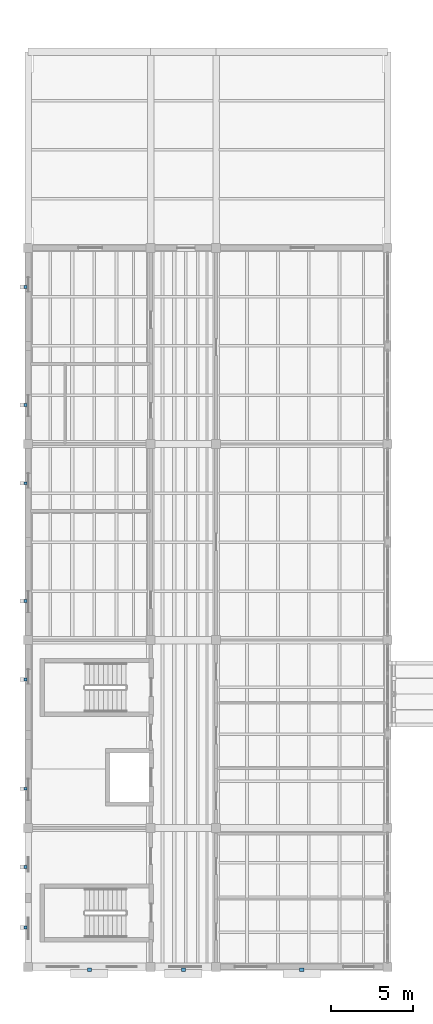
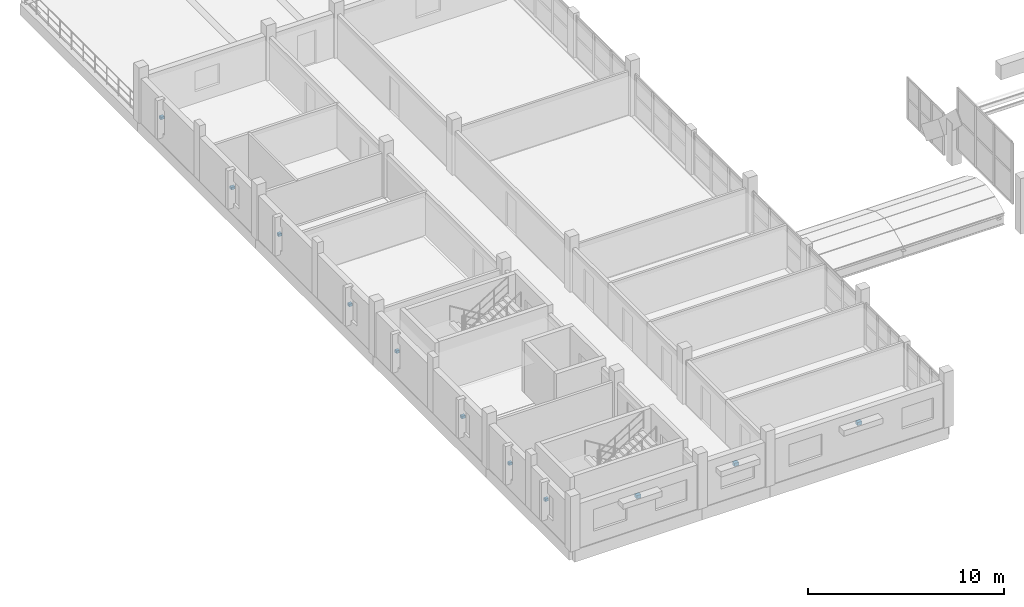
# One storey, part 40 of 48: 11 discrete accessories.
"""IFC4 building model written with IfcOpenShell, lengths in metres."""

import ifcopenshell
import ifcopenshell.guid

model = None  # the IFC model being written
_history = None  # IfcOwnerHistory: only IFC2X3 demands one
_inside = {}  # id of a spatial element -> (the spatial element, [elements in it])
_under = {}  # id of a project, library or spatial element -> (it, [spatial elements below it])
_declared = {}  # id of a project -> (the project, [libraries it declares])
_typed = {}  # id of a type object -> (the type object, [elements of that type])
_made_of = {}  # id of a material, layer set ... -> (it, [elements and type objects made of it])


def new_model(schema):
    """Start an empty IFC model of exactly this schema.

    Asked for "IFC4X3", IfcOpenShell would pick the latest addendum, in which some entities
    have other attributes; the version numbers below select the first issue.
    IFC2X3 requires an IfcOwnerHistory on every rooted entity: one is made here for all.
    """
    global model, _history
    if schema == "IFC4X3":
        model = ifcopenshell.file(schema_version=(4, 3, 0, 0))
    else:
        model = ifcopenshell.file(schema=schema)
    _inside.clear()
    _under.clear()
    _declared.clear()
    _typed.clear()
    _made_of.clear()
    _history = None
    if model.schema == "IFC2X3":
        org = make("IfcOrganization", Name="unknown")
        user = make(
            "IfcPersonAndOrganization",
            ThePerson=make("IfcPerson", FamilyName="unknown"),
            TheOrganization=org,
        )
        app = make(
            "IfcApplication",
            ApplicationDeveloper=org,
            Version="unknown",
            ApplicationFullName="unknown",
            ApplicationIdentifier="unknown",
        )
        _history = make(
            "IfcOwnerHistory",
            OwningUser=user,
            OwningApplication=app,
            ChangeAction="ADDED",
            CreationDate=0,
        )
    return model


def make(cls, **values):
    """One entity of the class cls with the attributes given. An attribute that is None is left unset."""
    return model.create_entity(
        cls, **{name: value for name, value in values.items() if value is not None}
    )


def rooted(cls, **values):
    """An entity with a GlobalId (a new one), such as an element, a storey or a relation."""
    return make(cls, GlobalId=ifcopenshell.guid.new(), OwnerHistory=_history, **values)


def si_unit(unit_type, name, prefix=None):
    """IfcSIUnit, for example si_unit("LENGTHUNIT", "METRE", prefix="MILLI")."""
    return make("IfcSIUnit", UnitType=unit_type, Prefix=prefix, Name=name)


def assignment(units):
    """IfcUnitAssignment: the units of a project."""
    return None if units is None else make("IfcUnitAssignment", Units=units)


def point(xyz):
    """IfcCartesianPoint."""
    return None if xyz is None else make("IfcCartesianPoint", Coordinates=xyz)


def direction(xyz):
    """IfcDirection."""
    return None if xyz is None else make("IfcDirection", DirectionRatios=xyz)


def frame(location, z_axis=None, x_axis=None):
    """IfcAxis2Placement3D, a coordinate frame: its origin and axes. An axis left out is left unset."""
    return make(
        "IfcAxis2Placement3D",
        Location=point(location),
        Axis=direction(z_axis),
        RefDirection=direction(x_axis),
    )


def frame_2d(location, x_axis=None):
    """IfcAxis2Placement2D, a coordinate frame in the plane: its origin and x axis."""
    return make(
        "IfcAxis2Placement2D", Location=point(location), RefDirection=direction(x_axis)
    )


def origin():
    """The frame at (0, 0, 0) with its axes left unset."""
    return frame((0.0, 0.0, 0.0))


def origin_2d():
    """The frame at (0, 0) in the plane with its x axis left unset."""
    return frame_2d((0.0, 0.0))


def place(relative_to, where):
    """IfcLocalPlacement: puts the frame where relative to a parent placement (None: the world)."""
    return make(
        "IfcLocalPlacement", PlacementRelTo=relative_to, RelativePlacement=where
    )


def context(
    kind, dimensions, precision=None, world=None, true_north=None, identifier=None
):
    """IfcGeometricRepresentationContext, for example the 3D "Model" context."""
    return make(
        "IfcGeometricRepresentationContext",
        ContextIdentifier=identifier,
        ContextType=kind,
        CoordinateSpaceDimension=dimensions,
        Precision=precision,
        WorldCoordinateSystem=world,
        TrueNorth=true_north,
    )


def subcontext(parent, identifier, kind, view, scale=None):
    """IfcGeometricRepresentationSubContext, for example "Body" below "Model"."""
    return make(
        "IfcGeometricRepresentationSubContext",
        ContextIdentifier=identifier,
        ContextType=kind,
        ParentContext=parent,
        TargetScale=scale,
        TargetView=view,
    )


def project(units=None, contexts=None):
    """IfcProject with its units and contexts."""
    return rooted(
        "IfcProject",
        Name="project",
        RepresentationContexts=contexts,
        UnitsInContext=assignment(units),
    )


def spatial(cls, under=None, at=None, **own):
    """A site, building, storey or space (cls), placed at a placement, below another one or the project."""
    s = rooted(cls, ObjectPlacement=at, **own)
    if under is not None:
        _under.setdefault(under.id(), (under, []))[1].append(s)
    return s


def profile(cls, at=None, kind="AREA", **sizes):
    """A parametric profile (cls). Its sizes go by their IFC names, for example OverallWidth=200.0."""
    return make(cls, ProfileType=kind, Position=at, **sizes)


def rectangle(**sizes):
    """IfcRectangleProfileDef."""
    return profile("IfcRectangleProfileDef", **sizes)


def extrude(swept, where, along, depth):
    """IfcExtrudedAreaSolid: the profile swept, set in the frame where, extruded along a direction by depth."""
    return make(
        "IfcExtrudedAreaSolid",
        SweptArea=swept,
        Position=where,
        ExtrudedDirection=direction(along),
        Depth=depth,
    )


def shape(context_of_items, identifier, shape_type, items):
    """IfcShapeRepresentation: the items that make up one representation, for example the "Body"."""
    return make(
        "IfcShapeRepresentation",
        ContextOfItems=context_of_items,
        RepresentationIdentifier=identifier,
        RepresentationType=shape_type,
        Items=items,
    )


def material(Name=None, Category=None):
    """IfcMaterial."""
    return make("IfcMaterial", Name=Name, Category=Category)


def made_of(thing, what):
    """Note that an element or type object is made of a material, layer set ...; save() writes the relation."""
    if what is not None:
        _made_of.setdefault(what.id(), (what, []))[1].append(thing)
    return thing


def type_object(cls, material=None, **own):
    """A type object (cls), such as IfcWallType, which elements share."""
    return made_of(rooted(cls, **own), material)


def element(
    cls,
    number,
    at=None,
    inside=None,
    cuts=None,
    type_object=None,
    material=None,
    context=None,
    identifier="Body",
    shape_type=None,
    held_by="IfcProductDefinitionShape",
    body=None,
    shapes=None,
    **own,
):
    """One element of the class cls, such as IfcWall. Its Tag is "e" and its number.

    at: its placement. inside: the storey or other place that contains it. cuts: it is an
    opening in that element (IfcRelVoidsElement). A single representation is given by context,
    identifier, shape_type and body (its items); several are given by shapes. held_by: the class
    of the entity that holds the representations. save() writes the other relations.
    """
    e = rooted(cls, Tag="e%d" % number, ObjectPlacement=at, **own)
    if body is not None:
        shapes = [shape(context, identifier, shape_type, body)]
    if shapes is not None:
        e.Representation = make(held_by, Representations=shapes)
    if inside is not None:
        _inside.setdefault(inside.id(), (inside, []))[1].append(e)
    if cuts is not None:
        rooted(
            "IfcRelVoidsElement", RelatingBuildingElement=cuts, RelatedOpeningElement=e
        )
    if type_object is not None:
        _typed.setdefault(type_object.id(), (type_object, []))[1].append(e)
    return made_of(e, material)


def aggregate(whole, parts):
    """IfcRelAggregates: a whole, such as a stair, and the parts it consists of."""
    return rooted("IfcRelAggregates", RelatingObject=whole, RelatedObjects=parts)


def save(model, path):
    """Write the relations noted so far, then the file.

    IfcRelAggregates (storeys below a building ...), IfcRelContainedInSpatialStructure (elements
    in a storey), IfcRelDefinesByType, IfcRelAssociatesMaterial and IfcRelDeclares: one each for
    every whole, place, type object, material and project.
    """
    for whole, parts in _under.values():
        aggregate(whole, parts)
    for where, things in _inside.values():
        rooted(
            "IfcRelContainedInSpatialStructure",
            RelatedElements=things,
            RelatingStructure=where,
        )
    for kind, things in _typed.values():
        rooted("IfcRelDefinesByType", RelatedObjects=things, RelatingType=kind)
    for what, things in _made_of.values():
        rooted("IfcRelAssociatesMaterial", RelatedObjects=things, RelatingMaterial=what)
    for by, libraries in _declared.values():
        rooted("IfcRelDeclares", RelatingContext=by, RelatedDefinitions=libraries)
    model.write(path)


model = new_model("IFC4")

# Units and contexts
model_context = context("Model", 3, precision=1e-05, world=origin(), true_north=direction((0.0, 1.0)))
body_context = subcontext(model_context, "Body", "Model", "MODEL_VIEW")
ifc_project = project(units=[si_unit("LENGTHUNIT", "METRE"), si_unit("AREAUNIT", "SQUARE_METRE"), si_unit("VOLUMEUNIT", "CUBIC_METRE"), si_unit("PLANEANGLEUNIT", "RADIAN"), si_unit("MASSUNIT", "GRAM", prefix="KILO")], contexts=[model_context])

# Site, building, storey
site_placement = place(None, origin())
site = spatial("IfcSite", under=ifc_project, at=site_placement, CompositionType="ELEMENT")
building_placement = place(site_placement, origin())
building = spatial("IfcBuilding", under=site, at=building_placement, Name="Trellovar Central Fire Station", CompositionType="ELEMENT")
storey_placement = place(building_placement, frame((0.0, 0.0, 9.300048828125)))
storey = spatial("IfcBuildingStorey", under=building, at=storey_placement, Name="L03", CompositionType="ELEMENT", Elevation=9.300048828125)

# Discrete accessories
ifc_material_1 = material(Name="Patina bronze wrought metalwork", Category="metal")
discrete_accessory_type_1 = type_object("IfcDiscreteAccessoryType", Name="ACC-BRK1", PredefinedType="BRACKET", material=ifc_material_1)
for number, where, z_axis, x_axis, name in (
    (1, (4.75, 8.830078125, 1.9501953125), (0.0, 0.0, 1.0), (1.0, 0.0, 0.0), "L03 bronze shade mounting bracket 47"),
    (2, (10.5, 8.830078125, 1.9501953125), (0.0, 0.0, 1.0), (1.0, 0.0, 0.0), "L03 bronze shade mounting bracket 48"),
    (3, (17.75, 8.830078125, 1.9501953125), (0.0, 0.0, 1.0), (1.0, 0.0, 0.0), "L03 bronze shade mounting bracket 49"),
):
    element("IfcDiscreteAccessory", number, at=place(storey_placement, frame(where, z_axis=z_axis, x_axis=x_axis)), inside=storey, type_object=discrete_accessory_type_1, Name=name, PredefinedType="BRACKET", context=body_context, shape_type="SweptSolid", body=[
        extrude(rectangle(XDim=0.260009765625, YDim=0.219970703125, at=origin_2d()), origin(), (0.0, 0.0, 1.0), 0.199951171875),
    ])
ifc_material_2 = material(Name="Patina bronze wrought metalwork", Category="metal")
discrete_accessory_type_2 = type_object("IfcDiscreteAccessoryType", Name="ACC-BRK2", PredefinedType="BRACKET", material=ifc_material_2)
for number, where, z_axis, x_axis, name in (
    (4, (0.830078125, 11.39990234375, 1.56982421875), (0.0, 0.0, 1.0), (1.0, 0.0, 0.0), "L03 bronze shade mounting bracket 50"),
    (5, (0.830078125, 15.10009765625, 1.56982421875), (0.0, 0.0, 1.0), (1.0, 0.0, 0.0), "L03 bronze shade mounting bracket 51"),
    (6, (0.830078125, 19.89990234375, 1.56982421875), (0.0, 0.0, 1.0), (1.0, 0.0, 0.0), "L03 bronze shade mounting bracket 52"),
    (7, (0.830078125, 26.60009765625, 1.56982421875), (0.0, 0.0, 1.0), (1.0, 0.0, 0.0), "L03 bronze shade mounting bracket 53"),
    (8, (0.830078125, 31.39990234375, 1.56982421875), (0.0, 0.0, 1.0), (1.0, 0.0, 0.0), "L03 bronze shade mounting bracket 54"),
    (9, (0.830078125, 38.60009765625, 1.56982421875), (0.0, 0.0, 1.0), (1.0, 0.0, 0.0), "L03 bronze shade mounting bracket 55"),
    (10, (0.830078125, 43.39990234375, 1.56982421875), (0.0, 0.0, 1.0), (1.0, 0.0, 0.0), "L03 bronze shade mounting bracket 56"),
    (11, (0.830078125, 50.60009765625, 1.56982421875), (0.0, 0.0, 1.0), (1.0, 0.0, 0.0), "L03 bronze shade mounting bracket 57"),
):
    element("IfcDiscreteAccessory", number, at=place(storey_placement, frame(where, z_axis=z_axis, x_axis=x_axis)), inside=storey, type_object=discrete_accessory_type_2, Name=name, PredefinedType="BRACKET", context=body_context, shape_type="SweptSolid", body=[
        extrude(rectangle(XDim=0.199951171875, YDim=0.179931640625, at=origin_2d()), origin(), (0.0, 0.0, 1.0), 0.159912109375),
    ])

save(model, "model.ifc")
